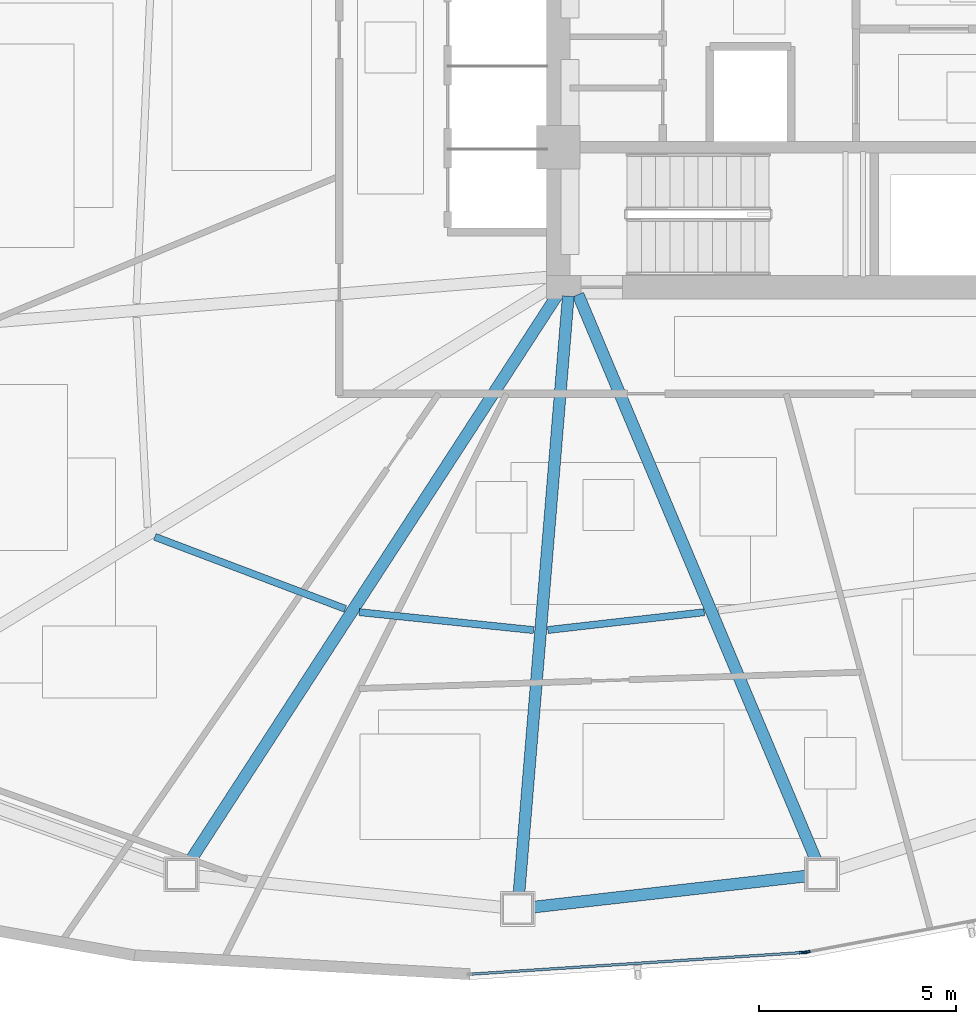
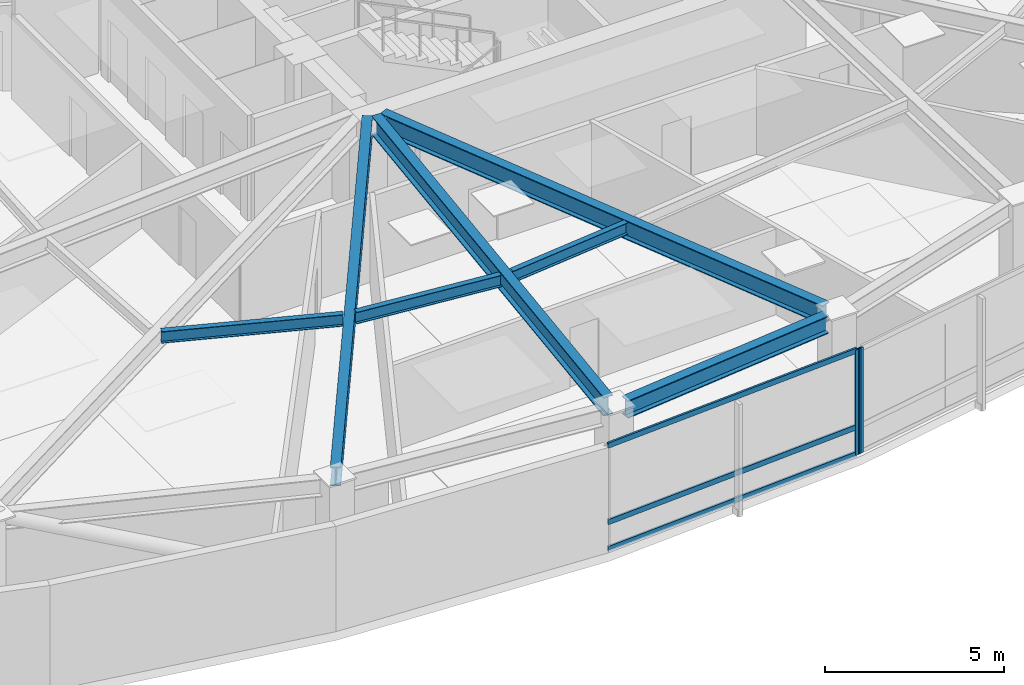
# One storey, part 3 of 18: 7 beams, 5 members, 2 elements without a shape of their own.
"""IFC4 building model written with IfcOpenShell, lengths in metres."""

from ifc_helpers import new_model, si_unit, direction, frame, origin, origin_2d, place, context, subcontext, project, spatial, hollow_rectangle, i_section, extrude, source, transform, mapped, material, layer, layer_set, material_profile, profile_set, type_object, type_shapes, element, aggregate, save


model = new_model("IFC4")

# Units and contexts
model_context = context("Model", 3, precision=1e-05, world=origin(), true_north=direction((0.0, 1.0)))
body_context = subcontext(model_context, "Body", "Model", "MODEL_VIEW")
ifc_project = project(units=[si_unit("LENGTHUNIT", "METRE"), si_unit("AREAUNIT", "SQUARE_METRE"), si_unit("VOLUMEUNIT", "CUBIC_METRE"), si_unit("PLANEANGLEUNIT", "RADIAN"), si_unit("MASSUNIT", "GRAM", prefix="KILO")], contexts=[model_context])

# Site, building, storey
site_placement = place(None, origin())
site = spatial("IfcSite", under=ifc_project, at=site_placement, CompositionType="ELEMENT")
building_placement = place(site_placement, origin())
building = spatial("IfcBuilding", under=site, at=building_placement, Name="Tavelor Broadcast Tower", CompositionType="ELEMENT")
storey_placement = place(building_placement, frame((0.0, 0.0, 54.89990234375)))
storey = spatial("IfcBuildingStorey", under=building, at=storey_placement, Name="L12", CompositionType="ELEMENT", Elevation=54.89990234375)

# Beams
ifc_material_1 = material(Name="Steel S355", Category="steel")
ifc_material_profile_1 = material_profile(ifc_material_1, i_section(OverallWidth=0.179931640625, OverallDepth=0.39990234375, WebThickness=0.008544921875, FlangeThickness=0.013427734375, at=origin_2d()), Name="IPE 400")
ifc_profile_set_1 = profile_set([ifc_material_profile_1], Name="Steel S355")
beam_type_1 = type_object("IfcBeamType", Name="Composite Floor Joist T1 IPE 400", PredefinedType="JOIST", material=ifc_profile_set_1)
beam_1_placement = place(storey_placement, frame((32.875732421875, 32.172119140625, 3.400146484375), z_axis=(0.935393222228, -0.353609275629, 0.0), x_axis=(0.353609275629, 0.935393222228, 0.0)))
element("IfcBeam", 1, at=beam_1_placement, inside=storey, type_object=beam_type_1, Name="L12 Secondary Composite Floor Joist 07", PredefinedType="JOIST", context=body_context, shape_type="SweptSolid", body=[
    extrude(i_section(OverallWidth=0.179931640625, OverallDepth=0.39990234375, WebThickness=0.008544921875, FlangeThickness=0.013427734375, at=origin_2d()), origin(), (0.0, 0.0, 1.0), 5.16357421875),
])
beam_2_placement = place(storey_placement, frame((38.05517578125, 30.263671875, 3.400146484375), z_axis=(0.994731276638, -0.102516765835, 0.0), x_axis=(0.102516765835, 0.994731276638, 0.0)))
element("IfcBeam", 2, at=beam_2_placement, inside=storey, type_object=beam_type_1, Name="L12 Secondary Composite Floor Joist 08", PredefinedType="JOIST", context=body_context, shape_type="SweptSolid", body=[
    extrude(i_section(OverallWidth=0.179931640625, OverallDepth=0.39990234375, WebThickness=0.008544921875, FlangeThickness=0.013427734375, at=origin_2d()), origin(), (0.0, 0.0, 1.0), 4.44384765625),
])
beam_3_placement = place(storey_placement, frame((42.83544921875, 29.81005859375, 3.400146484375), z_axis=(0.993584195036, 0.113094860076, 0.0), x_axis=(-0.113094860076, 0.993584195036, 0.0)))
element("IfcBeam", 3, at=beam_3_placement, inside=storey, type_object=beam_type_1, Name="L12 Secondary Composite Floor Joist 09", PredefinedType="JOIST", context=body_context, shape_type="SweptSolid", body=[
    extrude(i_section(OverallWidth=0.179931640625, OverallDepth=0.39990234375, WebThickness=0.008544921875, FlangeThickness=0.013427734375, at=origin_2d()), origin(), (0.0, 0.0, 1.0), 3.99365234375),
])
ifc_material_profile_2 = material_profile(ifc_material_1, i_section(OverallWidth=0.300048828125, OverallDepth=0.60009765625, WebThickness=0.015380859375, FlangeThickness=0.030029296875, at=origin_2d()), Name="HEB 600")
ifc_profile_set_2 = profile_set([ifc_material_profile_2], Name="Steel S355")
beam_type_2 = type_object("IfcBeamType", Name="Perimeter Spandrel Beam T1 HEB 600", PredefinedType="SPANDREL", material=ifc_profile_set_2)
beam_4_placement = place(storey_placement, frame((42.45458984375, 22.783935546875, 3.300048828125), z_axis=(0.993590028959, 0.113043594921, 0.0), x_axis=(-0.113043594921, 0.993590028959, 0.0)))
element("IfcBeam", 4, at=beam_4_placement, inside=storey, type_object=beam_type_2, Name="L12 Framed-Tube Ring Spandrel 09", PredefinedType="SPANDREL", context=body_context, shape_type="SweptSolid", body=[
    extrude(i_section(OverallWidth=0.300048828125, OverallDepth=0.60009765625, WebThickness=0.015380859375, FlangeThickness=0.030029296875, at=origin_2d()), origin(), (0.0, 0.0, 1.0), 6.995361328125),
])
ifc_material_profile_3 = material_profile(ifc_material_1, i_section(OverallWidth=0.300048828125, OverallDepth=0.64990234375, WebThickness=0.01611328125, FlangeThickness=0.031005859375, at=origin_2d()), Name="HEB 650")
ifc_profile_set_3 = profile_set([ifc_material_profile_3], Name="Steel S355")
beam_type_3 = type_object("IfcBeamType", Name="Radial Floor Girder T1 HEB 650", PredefinedType="BEAM", material=ifc_profile_set_3)
beam_5_placement = place(storey_placement, frame((43.11279296875, 38.35693359375, 3.275146484375), z_axis=(-0.544182728087, -0.838966720706, 0.0), x_axis=(0.838966720706, -0.544182728087, 0.0)))
element("IfcBeam", 5, at=beam_5_placement, inside=storey, type_object=beam_type_3, Name="L12 Radial Primary Floor Girder 08", PredefinedType="BEAM", context=body_context, shape_type="SweptSolid", body=[
    extrude(i_section(OverallWidth=0.300048828125, OverallDepth=0.64990234375, WebThickness=0.01611328125, FlangeThickness=0.031005859375, at=origin_2d()), origin(), (0.0, 0.0, 1.0), 17.186767578125),
])
beam_6_placement = place(storey_placement, frame((43.3564453125, 38.273681640625, 3.275146484375), z_axis=(-0.082338386508, -0.996604430106, 0.0), x_axis=(0.996604430106, -0.082338386508, 0.0)))
element("IfcBeam", 6, at=beam_6_placement, inside=storey, type_object=beam_type_3, Name="L12 Radial Primary Floor Girder 09", PredefinedType="BEAM", context=body_context, shape_type="SweptSolid", body=[
    extrude(i_section(OverallWidth=0.300048828125, OverallDepth=0.64990234375, WebThickness=0.01611328125, FlangeThickness=0.031005859375, at=origin_2d()), origin(), (0.0, 0.0, 1.0), 15.201904296875),
])
beam_7_placement = place(storey_placement, frame((43.604736328125, 38.313232421875, 3.275146484375), z_axis=(0.387757434366, -0.921761450753, 0.0), x_axis=(0.921761450753, 0.387757434366, 0.0)))
element("IfcBeam", 7, at=beam_7_placement, inside=storey, type_object=beam_type_3, Name="L12 Radial Primary Floor Girder 10", PredefinedType="BEAM", context=body_context, shape_type="SweptSolid", body=[
    extrude(i_section(OverallWidth=0.300048828125, OverallDepth=0.64990234375, WebThickness=0.01611328125, FlangeThickness=0.031005859375, at=origin_2d()), origin(), (0.0, 0.0, 1.0), 15.55859375),
])

# Curtain wall, member
ifc_material_2 = material(Name="Architectural Anodized Aluminium", Category="aluminium")
ifc_layer = layer(ifc_material_2, 0.179931640625)
ifc_layer_set = layer_set([ifc_layer], Name="Architectural Anodized Aluminium")
curtain_wall_type = type_object("IfcCurtainWallType", Name="Tower Low-Zone Unitised Curtain Wall CW02", PredefinedType="NOTDEFINED", material=ifc_layer_set)
curtain_wall_1_placement = place(storey_placement, origin())
curtain_wall_1 = element("IfcCurtainWall", 8, at=curtain_wall_1_placement, inside=storey, type_object=curtain_wall_type, Name="L12 Curtain Wall CW02 Run 101", PredefinedType="NOTDEFINED")
ifc_material_profile_4 = material_profile(ifc_material_2, hollow_rectangle(XDim=0.06494140625, YDim=0.179931640625, WallThickness=0.02197265625, at=origin_2d()), Name="RHS 65x180x22")
ifc_profile_set_4 = profile_set([ifc_material_profile_4], Name="Architectural Anodized Aluminium")
member_type_1 = type_object("IfcMemberType", Name="CW02 Extruded Aluminium Mullion 65x180", PredefinedType="MULLION", material=ifc_profile_set_4)
shared_shape_1 = source(origin(), body_context, "Body", "SweptSolid", [
    extrude(hollow_rectangle(XDim=0.06494140625, YDim=0.179931640625, WallThickness=0.02197265625, at=origin_2d()), origin(), (0.0, 0.0, 1.0), 3.60009765625),
])
type_shapes(member_type_1, [shared_shape_1])
member_1_placement = place(storey_placement, frame((49.303955078125, 21.634765625, 0.0), z_axis=(0.0, 0.0, 1.0), x_axis=(-0.064965318395, 0.997887522422, 0.0)))
member_1 = element("IfcMember", 9, at=member_1_placement, type_object=member_type_1, Name="CW02 mullion 2", PredefinedType="MULLION", context=body_context, shape_type="MappedRepresentation", body=[
    mapped(shared_shape_1, transform((0.0, 0.0, 0.0), scale=1.0)),
])

curtain_wall_2_placement = place(storey_placement, origin())
curtain_wall_2 = element("IfcCurtainWall", 10, at=curtain_wall_2_placement, inside=storey, type_object=curtain_wall_type, Name="L12 Curtain Wall CW02 Run 102", PredefinedType="NOTDEFINED")
member_2_placement = place(storey_placement, frame((49.39794921875, 21.646484375, 0.0), z_axis=(0.0, 0.0, 1.0), x_axis=(-0.185236106957, 0.982694044288, 0.0)))
member_2 = element("IfcMember", 11, at=member_2_placement, type_object=member_type_1, Name="CW02 mullion 1", PredefinedType="MULLION", context=body_context, shape_type="MappedRepresentation", body=[
    mapped(shared_shape_1, transform((0.0, 0.0, 0.0), scale=1.0)),
])
aggregate(curtain_wall_2, [member_2])

# Member
ifc_material_profile_5 = material_profile(ifc_material_2, hollow_rectangle(XDim=0.06494140625, YDim=0.179931640625, WallThickness=0.02197265625, at=origin_2d()), Name="RHS 65x180x22")
ifc_profile_set_5 = profile_set([ifc_material_profile_5], Name="Architectural Anodized Aluminium")
member_type_2 = type_object("IfcMemberType", Name="CW02 Extruded Aluminium Transom 65x180", PredefinedType="USERDEFINED", material=ifc_profile_set_5)
shared_shape_2 = source(origin(), body_context, "Body", "SweptSolid", [
    extrude(hollow_rectangle(XDim=0.06494140625, YDim=0.179931640625, WallThickness=0.02197265625, at=origin_2d()), origin(), (0.0, 0.0, 1.0), 8.371337890625),
])
type_shapes(member_type_2, [shared_shape_2])
member_3_placement = place(storey_placement, frame((40.917724609375, 21.088623046875, 0.03271484375), z_axis=(0.997886811692, 0.064976234516, 0.0), x_axis=(-0.064976234516, 0.997886811692, 0.0)))
member_3 = element("IfcMember", 12, at=member_3_placement, type_object=member_type_2, Name="CW02 transom 1.1", ObjectType="TRANSOM", PredefinedType="USERDEFINED", context=body_context, shape_type="MappedRepresentation", body=[
    mapped(shared_shape_2, transform((0.0, 0.0, 0.0), scale=1.0)),
])

member_4_placement = place(storey_placement, frame((40.917724609375, 21.088623046875, 0.9501953125), z_axis=(0.997886811692, 0.064976234516, 0.0), x_axis=(-0.064976234516, 0.997886811692, 0.0)))
member_4 = element("IfcMember", 13, at=member_4_placement, type_object=member_type_2, Name="CW02 transom 1.2", ObjectType="TRANSOM", PredefinedType="USERDEFINED", context=body_context, shape_type="MappedRepresentation", body=[
    mapped(shared_shape_2, transform((0.0, 0.0, 0.0), scale=1.0)),
])

member_5_placement = place(storey_placement, frame((40.917724609375, 21.088623046875, 3.567626953125), z_axis=(0.997886811692, 0.064976234516, 0.0), x_axis=(-0.064976234516, 0.997886811692, 0.0)))
member_5 = element("IfcMember", 14, at=member_5_placement, type_object=member_type_2, Name="CW02 transom 1.3", ObjectType="TRANSOM", PredefinedType="USERDEFINED", context=body_context, shape_type="MappedRepresentation", body=[
    mapped(shared_shape_2, transform((0.0, 0.0, 0.0), scale=1.0)),
])

aggregate(curtain_wall_1, [member_1, member_3, member_4, member_5])

save(model, "model.ifc")
